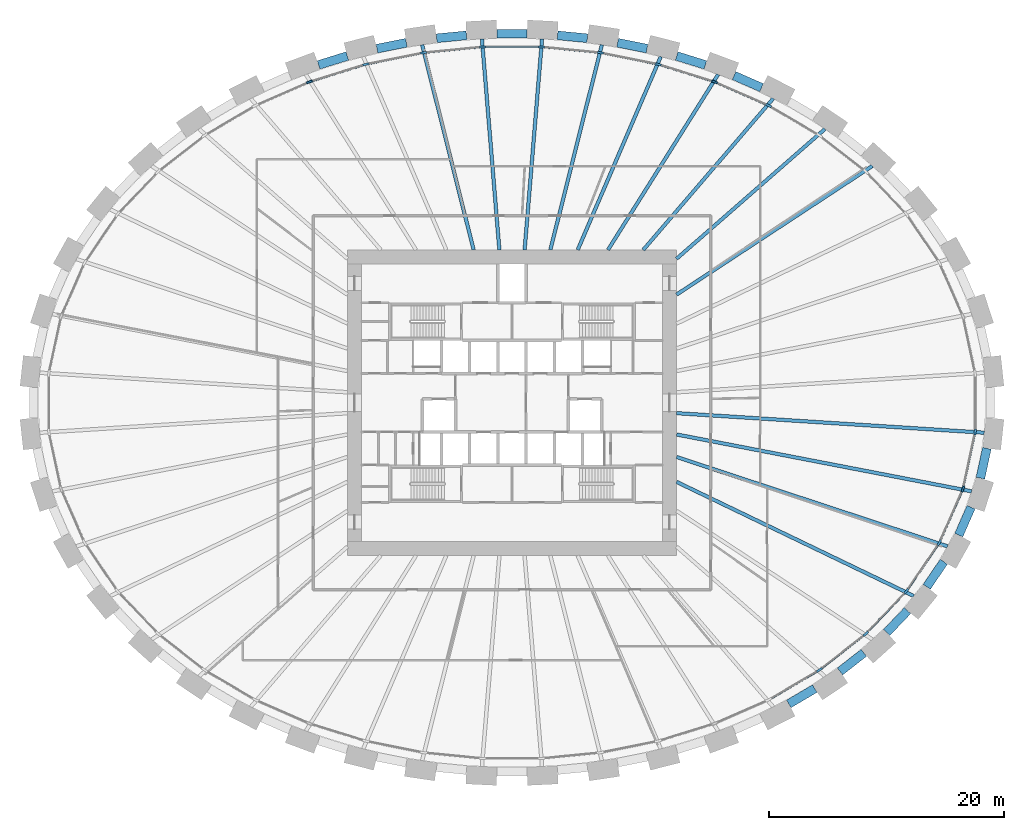
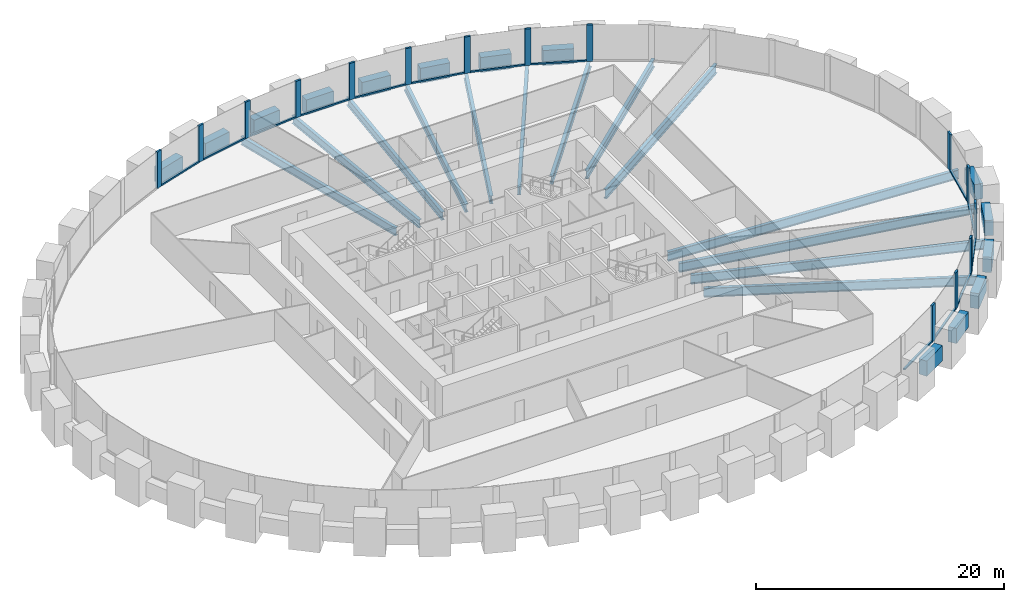
# One storey, part 3 of 10: 29 members, 27 beams, 1 element without a shape of its own.
"""IFC4 building model written with IfcOpenShell, lengths in metres."""

from ifc_helpers import new_model, si_unit, direction, frame, origin, origin_2d, place, context, subcontext, project, spatial, rectangle, i_section, extrude, source, transform, mapped, material, material_profile, profile_set, type_object, element, aggregate, save


model = new_model("IFC4")

# Units and contexts
model_context = context("Model", 3, precision=1e-05, world=origin(), true_north=direction((0.0, 1.0)))
body_context = subcontext(model_context, "Body", "Model", "MODEL_VIEW")
ifc_project = project(units=[si_unit("LENGTHUNIT", "METRE"), si_unit("AREAUNIT", "SQUARE_METRE"), si_unit("VOLUMEUNIT", "CUBIC_METRE"), si_unit("PLANEANGLEUNIT", "RADIAN"), si_unit("MASSUNIT", "GRAM", prefix="KILO")], contexts=[model_context])

# Site, building, storey
site_placement = place(None, origin())
site = spatial("IfcSite", under=ifc_project, at=site_placement, CompositionType="ELEMENT")
building_placement = place(site_placement, origin())
building = spatial("IfcBuilding", under=site, at=building_placement, Name="Embergate Tower", CompositionType="ELEMENT")
storey_placement = place(building_placement, frame((0.0, 0.0, 97.10009765625)))
storey = spatial("IfcBuildingStorey", under=building, at=storey_placement, Name="L20", CompositionType="ELEMENT", Elevation=97.10009765625)

# Beams
ifc_material_1 = material(Name="Concrete C70", Category="concrete")
ifc_material_profile_1 = material_profile(ifc_material_1, rectangle(XDim=0.75, YDim=1.5, at=origin_2d()), Name="RC 750x1500")
ifc_profile_set_1 = profile_set([ifc_material_profile_1], Name="Concrete C70")
beam_type_1 = type_object("IfcBeamType", Name="Spandrel beam RC 750x1500 C70", PredefinedType="BEAM", material=ifc_profile_set_1)
shared_shape_1 = source(origin(), body_context, "Body", "SweptSolid", [
    extrude(rectangle(XDim=0.75, YDim=1.5, at=origin_2d()), origin(), (0.0, 0.0, 1.0), 2.5498046875),
])
beam_1_placement = place(storey_placement, frame((1.27490234375, 31.373046875, 0.0), z_axis=(-1.0, 0.0, 0.0), x_axis=(0.0, -1.0, 0.0)))
element("IfcBeam", 1, at=beam_1_placement, inside=storey, type_object=beam_type_1, Name="SPN-L20-10", PredefinedType="BEAM", context=body_context, shape_type="MappedRepresentation", body=[
    mapped(shared_shape_1, transform((0.0, 0.0, 0.0))),
])
shared_shape_2 = source(origin(), body_context, "Body", "SweptSolid", [
    extrude(rectangle(XDim=0.75, YDim=1.5, at=origin_2d()), origin(), (0.0, 0.0, 1.0), 2.556640625),
])
beam_2_placement = place(storey_placement, frame((21.22509765625, 26.7939453125, 0.0), z_axis=(-0.91608499415, 0.400984143692, 0.0), x_axis=(-0.400984143692, -0.91608499415, 0.0)))
element("IfcBeam", 2, at=beam_2_placement, inside=storey, type_object=beam_type_1, Name="SPN-L20-06", PredefinedType="BEAM", context=body_context, shape_type="MappedRepresentation", body=[
    mapped(shared_shape_2, transform((0.0, 0.0, 0.0))),
])
shared_shape_3 = source(origin(), body_context, "Body", "SweptSolid", [
    extrude(rectangle(XDim=0.75, YDim=1.5, at=origin_2d()), origin(), (0.0, 0.0, 1.0), 2.55517578125),
])
for number, where, z_axis, x_axis, name in (
    (3, (16.447021484375, 28.72802734375, 0.0), (-0.954863400913, 0.297045258499, 0.0), (-0.297045258499, -0.954863400913, 0.0), "SPN-L20-07"),
    (4, (-14.007080078125, 29.487060546875, 0.0), (-0.954863400913, -0.297045258499, 0.0), (0.297045258499, -0.954863400913, 0.0), "SPN-L20-13"),
):
    element("IfcBeam", number, at=place(storey_placement, frame(where, z_axis=z_axis, x_axis=x_axis)), inside=storey, type_object=beam_type_1, Name=name, PredefinedType="BEAM", context=body_context, shape_type="MappedRepresentation", body=[
        mapped(shared_shape_3, transform((0.0, 0.0, 0.0))),
    ])
shared_shape_4 = source(origin(), body_context, "Body", "SweptSolid", [
    extrude(rectangle(XDim=0.75, YDim=1.5, at=origin_2d()), origin(), (0.0, 0.0, 1.0), 2.593017578125),
])
beam_3_placement = place(storey_placement, frame((39.8369140625, -6.4169921875, 0.0), z_axis=(0.210615598697, 0.977568958993, 0.0), x_axis=(-0.977568958993, 0.210615598697, 0.0)))
element("IfcBeam", 5, at=beam_3_placement, inside=storey, type_object=beam_type_1, Name="SPN-L20-42", PredefinedType="BEAM", context=body_context, shape_type="MappedRepresentation", body=[
    mapped(shared_shape_4, transform((0.0, 0.0, 0.0))),
])
shared_shape_5 = source(origin(), body_context, "Body", "SweptSolid", [
    extrude(rectangle(XDim=0.75, YDim=1.5, at=origin_2d()), origin(), (0.0, 0.0, 1.0), 2.587646484375),
])
beam_4_placement = place(storey_placement, frame((37.998046875, -11.260986328125, 0.0), z_axis=(0.401546272055, 0.915838736568, 0.0), x_axis=(-0.915838736568, 0.401546272055, 0.0)))
element("IfcBeam", 6, at=beam_4_placement, inside=storey, type_object=beam_type_1, Name="SPN-L20-41", PredefinedType="BEAM", context=body_context, shape_type="MappedRepresentation", body=[
    mapped(shared_shape_5, transform((0.0, 0.0, 0.0))),
])
shared_shape_6 = source(origin(), body_context, "Body", "SweptSolid", [
    extrude(rectangle(XDim=0.75, YDim=1.5, at=origin_2d()), origin(), (0.0, 0.0, 1.0), 2.5791015625),
])
beam_5_placement = place(storey_placement, frame((35.27197265625, -15.658935546875, 0.0), z_axis=(0.562170202136, 0.82702156189, 0.0), x_axis=(-0.82702156189, 0.562170202136, 0.0)))
element("IfcBeam", 7, at=beam_5_placement, inside=storey, type_object=beam_type_1, Name="SPN-L20-40", PredefinedType="BEAM", context=body_context, shape_type="MappedRepresentation", body=[
    mapped(shared_shape_6, transform((0.0, 0.0, 0.0))),
])
shared_shape_7 = source(origin(), body_context, "Body", "SweptSolid", [
    extrude(rectangle(XDim=0.75, YDim=1.5, at=origin_2d()), origin(), (0.0, 0.0, 1.0), 2.57373046875),
])
beam_6_placement = place(storey_placement, frame((31.862060546875, -19.5439453125, 0.0), z_axis=(0.689972491303, 0.723835589927, 0.0), x_axis=(-0.723835589927, 0.689972491303, 0.0)))
element("IfcBeam", 8, at=beam_6_placement, inside=storey, type_object=beam_type_1, Name="SPN-L20-39", PredefinedType="BEAM", context=body_context, shape_type="MappedRepresentation", body=[
    mapped(shared_shape_7, transform((0.0, 0.0, 0.0))),
])
shared_shape_8 = source(origin(), body_context, "Body", "SweptSolid", [
    extrude(rectangle(XDim=0.75, YDim=1.5, at=origin_2d()), origin(), (0.0, 0.0, 1.0), 2.5654296875),
])
beam_7_placement = place(storey_placement, frame((27.89892578125, -22.85302734375, 0.0), z_axis=(0.788131123291, 0.615507378103, 0.0), x_axis=(-0.615507378103, 0.788131123291, 0.0)))
element("IfcBeam", 9, at=beam_7_placement, inside=storey, type_object=beam_type_1, Name="SPN-L20-38", PredefinedType="BEAM", context=body_context, shape_type="MappedRepresentation", body=[
    mapped(shared_shape_8, transform((0.0, 0.0, 0.0))),
])
shared_shape_9 = source(origin(), body_context, "Body", "SweptSolid", [
    extrude(rectangle(XDim=0.75, YDim=1.5, at=origin_2d()), origin(), (0.0, 0.0, 1.0), 2.561279296875),
])
beam_8_placement = place(storey_placement, frame((23.541015625, -25.613037109375, 0.0), z_axis=(0.862059156479, 0.506807666409, 0.0), x_axis=(-0.506807666409, 0.862059156479, 0.0)))
element("IfcBeam", 10, at=beam_8_placement, inside=storey, type_object=beam_type_1, Name="SPN-L20-37", PredefinedType="BEAM", context=body_context, shape_type="MappedRepresentation", body=[
    mapped(shared_shape_9, transform((0.0, 0.0, 0.0))),
])
shared_shape_10 = source(origin(), body_context, "Body", "SweptSolid", [
    extrude(rectangle(XDim=0.75, YDim=1.5, at=origin_2d()), origin(), (0.0, 0.0, 1.0), 2.551513671875),
])
for number, where, z_axis, x_axis, name in (
    (11, (11.48291015625, 30.111083984375, 0.0), (-0.980536490478, 0.196336931934, 0.0), (-0.196336931934, -0.980536490478, 0.0), "SPN-L20-08"),
    (12, (-8.98095703125, 30.612060546875, 0.0), (-0.980536490478, -0.196336931934, 0.0), (0.196336931934, -0.980536490478, 0.0), "SPN-L20-12"),
):
    element("IfcBeam", number, at=place(storey_placement, frame(where, z_axis=z_axis, x_axis=x_axis)), inside=storey, type_object=beam_type_1, Name=name, PredefinedType="BEAM", context=body_context, shape_type="MappedRepresentation", body=[
        mapped(shared_shape_10, transform((0.0, 0.0, 0.0))),
    ])
shared_shape_11 = source(origin(), body_context, "Body", "SweptSolid", [
    extrude(rectangle(XDim=0.75, YDim=1.5, at=origin_2d()), origin(), (0.0, 0.0, 1.0), 2.550048828125),
])
for number, where, z_axis, x_axis, name in (
    (13, (6.409912109375, 30.99609375, 0.0), (-0.995220318417, 0.097655096179, 0.0), (-0.097655096179, -0.995220318417, 0.0), "SPN-L20-09"),
    (14, (-3.8720703125, 31.2451171875, 0.0), (-0.995220318417, -0.097655096179, 0.0), (0.097655096179, -0.995220318417, 0.0), "SPN-L20-11"),
):
    element("IfcBeam", number, at=place(storey_placement, frame(where, z_axis=z_axis, x_axis=x_axis)), inside=storey, type_object=beam_type_1, Name=name, PredefinedType="BEAM", context=body_context, shape_type="MappedRepresentation", body=[
        mapped(shared_shape_11, transform((0.0, 0.0, 0.0))),
    ])
ifc_material_2 = material(Name="Steel Q355B", Category="steel")
ifc_material_profile_2 = material_profile(ifc_material_2, i_section(OverallWidth=0.300048828125, OverallDepth=0.89990234375, WebThickness=0.01611328125, FlangeThickness=0.028076171875, FilletRadius=0.028076171875, at=origin_2d()), Name="HN 900x300x16x28")
ifc_profile_set_2 = profile_set([ifc_material_profile_2], Name="Steel Q355 grade B")
beam_type_2 = type_object("IfcBeamType", Name="Radial girder HN 900x300x16x28", PredefinedType="BEAM", material=ifc_profile_set_2)
shared_shape_12 = source(origin(), body_context, "Body", "SweptSolid", [
    extrude(i_section(OverallWidth=0.300048828125, OverallDepth=0.89990234375, WebThickness=0.01611328125, FlangeThickness=0.028076171875, FilletRadius=0.028076171875, at=origin_2d()), origin(), (0.0, 0.0, 1.0), 26.2158203125),
])
beam_9_placement = place(storey_placement, frame((40.1630859375, -2.551025390625, -0.650146484375), z_axis=(-0.997988133713, 0.063400985539, 0.0), x_axis=(-0.063400985539, -0.997988133713, 0.0)))
element("IfcBeam", 15, at=beam_9_placement, inside=storey, type_object=beam_type_2, Name="GIR-L20-43", PredefinedType="BEAM", context=body_context, shape_type="MappedRepresentation", body=[
    mapped(shared_shape_12, transform((0.0, 0.0, 0.0))),
])
shared_shape_13 = source(origin(), body_context, "Body", "SweptSolid", [
    extrude(i_section(OverallWidth=0.300048828125, OverallDepth=0.89990234375, WebThickness=0.01611328125, FlangeThickness=0.028076171875, FilletRadius=0.028076171875, at=origin_2d()), origin(), (0.0, 0.0, 1.0), 25.5517578125),
])
beam_10_placement = place(storey_placement, frame((39.089111328125, -7.541015625, -0.650146484375), z_axis=(-0.981895532799, 0.189423236878, 0.0), x_axis=(-0.189423236878, -0.981895532799, 0.0)))
element("IfcBeam", 16, at=beam_10_placement, inside=storey, type_object=beam_type_2, Name="GIR-L20-42", PredefinedType="BEAM", context=body_context, shape_type="MappedRepresentation", body=[
    mapped(shared_shape_13, transform((0.0, 0.0, 0.0))),
])
shared_shape_14 = source(origin(), body_context, "Body", "SweptSolid", [
    extrude(i_section(OverallWidth=0.300048828125, OverallDepth=0.89990234375, WebThickness=0.01611328125, FlangeThickness=0.028076171875, FilletRadius=0.028076171875, at=origin_2d()), origin(), (0.0, 0.0, 1.0), 24.259521484375),
])
beam_11_placement = place(storey_placement, frame((37.0390625, -12.215087890625, -0.650146484375), z_axis=(-0.949686852887, 0.313201024029, 0.0), x_axis=(-0.313201024029, -0.949686852887, 0.0)))
element("IfcBeam", 17, at=beam_11_placement, inside=storey, type_object=beam_type_2, Name="GIR-L20-41", PredefinedType="BEAM", context=body_context, shape_type="MappedRepresentation", body=[
    mapped(shared_shape_14, transform((0.0, 0.0, 0.0))),
])
shared_shape_15 = source(origin(), body_context, "Body", "SweptSolid", [
    extrude(i_section(OverallWidth=0.300048828125, OverallDepth=0.89990234375, WebThickness=0.01611328125, FlangeThickness=0.028076171875, FilletRadius=0.028076171875, at=origin_2d()), origin(), (0.0, 0.0, 1.0), 22.381103515625),
])
beam_12_placement = place(storey_placement, frame((34.1689453125, -16.43701171875, -0.650146484375), z_axis=(-0.901159999326, 0.4334866268, 0.0), x_axis=(-0.4334866268, -0.901159999326, 0.0)))
element("IfcBeam", 18, at=beam_12_placement, inside=storey, type_object=beam_type_2, Name="GIR-L20-40", PredefinedType="BEAM", context=body_context, shape_type="MappedRepresentation", body=[
    mapped(shared_shape_15, transform((0.0, 0.0, 0.0))),
])
shared_shape_16 = source(origin(), body_context, "Body", "SweptSolid", [
    extrude(i_section(OverallWidth=0.300048828125, OverallDepth=0.89990234375, WebThickness=0.01611328125, FlangeThickness=0.028076171875, FilletRadius=0.028076171875, at=origin_2d()), origin(), (0.0, 0.0, 1.0), 19.9140625),
])
beam_13_placement = place(storey_placement, frame((30.64306640625, 20.133056640625, -0.650146484375), z_axis=(-0.835747275066, -0.549114279745, 0.0), x_axis=(0.549114279745, -0.835747275066, 0.0)))
element("IfcBeam", 19, at=beam_13_placement, inside=storey, type_object=beam_type_2, Name="GIR-L20-04", PredefinedType="BEAM", context=body_context, shape_type="MappedRepresentation", body=[
    mapped(shared_shape_16, transform((0.0, 0.0, 0.0))),
])
ifc_material_profile_3 = material_profile(ifc_material_2, i_section(OverallWidth=0.300048828125, OverallDepth=0.800048828125, WebThickness=0.013916015625, FlangeThickness=0.02587890625, FilletRadius=0.028076171875, at=origin_2d()), Name="HN 800x300x14x26")
ifc_profile_set_3 = profile_set([ifc_material_profile_3], Name="Steel Q355 grade B")
beam_type_3 = type_object("IfcBeamType", Name="Radial girder HN 800x300x14x26", PredefinedType="BEAM", material=ifc_profile_set_3)
shared_shape_17 = source(origin(), body_context, "Body", "SweptSolid", [
    extrude(i_section(OverallWidth=0.300048828125, OverallDepth=0.800048828125, WebThickness=0.013916015625, FlangeThickness=0.02587890625, FilletRadius=0.028076171875, at=origin_2d()), origin(), (0.0, 0.0, 1.0), 16.76123046875),
])
beam_14_placement = place(storey_placement, frame((26.616943359375, 23.277099609375, -0.60009765625), z_axis=(-0.752743596645, -0.658313814005, 0.0), x_axis=(0.658313814005, -0.752743596645, 0.0)))
element("IfcBeam", 20, at=beam_14_placement, inside=storey, type_object=beam_type_3, Name="GIR-L20-05", PredefinedType="BEAM", context=body_context, shape_type="MappedRepresentation", body=[
    mapped(shared_shape_17, transform((0.0, 0.0, 0.0))),
])
shared_shape_18 = source(origin(), body_context, "Body", "SweptSolid", [
    extrude(i_section(OverallWidth=0.300048828125, OverallDepth=0.800048828125, WebThickness=0.013916015625, FlangeThickness=0.02587890625, FilletRadius=0.028076171875, at=origin_2d()), origin(), (0.0, 0.0, 1.0), 16.958984375),
])
beam_15_placement = place(storey_placement, frame((22.2119140625, 25.865966796875, -0.60009765625), z_axis=(-0.651500044605, -0.75864859578, 0.0), x_axis=(0.75864859578, -0.651500044605, 0.0)))
element("IfcBeam", 21, at=beam_15_placement, inside=storey, type_object=beam_type_3, Name="GIR-L20-06", PredefinedType="BEAM", context=body_context, shape_type="MappedRepresentation", body=[
    mapped(shared_shape_18, transform((0.0, 0.0, 0.0))),
])
shared_shape_19 = source(origin(), body_context, "Body", "SweptSolid", [
    extrude(i_section(OverallWidth=0.300048828125, OverallDepth=0.800048828125, WebThickness=0.013916015625, FlangeThickness=0.02587890625, FilletRadius=0.028076171875, at=origin_2d()), origin(), (0.0, 0.0, 1.0), 17.611083984375),
])
beam_16_placement = place(storey_placement, frame((17.531005859375, 27.9140625, -0.60009765625), z_axis=(-0.531822007443, -0.846856158034, 0.0), x_axis=(0.846856158034, -0.531822007443, 0.0)))
element("IfcBeam", 22, at=beam_16_placement, inside=storey, type_object=beam_type_3, Name="GIR-L20-07", PredefinedType="BEAM", context=body_context, shape_type="MappedRepresentation", body=[
    mapped(shared_shape_19, transform((0.0, 0.0, 0.0))),
])
shared_shape_20 = source(origin(), body_context, "Body", "SweptSolid", [
    extrude(i_section(OverallWidth=0.300048828125, OverallDepth=0.800048828125, WebThickness=0.013916015625, FlangeThickness=0.02587890625, FilletRadius=0.028076171875, at=origin_2d()), origin(), (0.0, 0.0, 1.0), 17.88720703125),
])
beam_17_placement = place(storey_placement, frame((12.652099609375, 29.43310546875, -0.60009765625), z_axis=(-0.394932140267, -0.918710294154, 0.0), x_axis=(0.918710294154, -0.394932140267, 0.0)))
element("IfcBeam", 23, at=beam_17_placement, inside=storey, type_object=beam_type_3, Name="GIR-L20-08", PredefinedType="BEAM", context=body_context, shape_type="MappedRepresentation", body=[
    mapped(shared_shape_20, transform((0.0, 0.0, 0.0))),
])
shared_shape_21 = source(origin(), body_context, "Body", "SweptSolid", [
    extrude(i_section(OverallWidth=0.300048828125, OverallDepth=0.800048828125, WebThickness=0.013916015625, FlangeThickness=0.02587890625, FilletRadius=0.028076171875, at=origin_2d()), origin(), (0.0, 0.0, 1.0), 17.97802734375),
])
for number, where, z_axis, x_axis, name in (
    (24, (7.64111328125, 30.43701171875, -0.60009765625), (-0.243474924344, -0.969907192063, 0.0), (0.969907192063, -0.243474924344, 0.0), "GIR-L20-09"),
    (25, (-7.64111328125, 30.43701171875, -0.60009765625), (0.243474924344, -0.969907192063, 0.0), (0.969907192063, 0.243474924344, 0.0), "GIR-L20-12"),
):
    element("IfcBeam", number, at=place(storey_placement, frame(where, z_axis=z_axis, x_axis=x_axis)), inside=storey, type_object=beam_type_3, Name=name, PredefinedType="BEAM", context=body_context, shape_type="MappedRepresentation", body=[
        mapped(shared_shape_21, transform((0.0, 0.0, 0.0))),
    ])
shared_shape_22 = source(origin(), body_context, "Body", "SweptSolid", [
    extrude(i_section(OverallWidth=0.300048828125, OverallDepth=0.800048828125, WebThickness=0.013916015625, FlangeThickness=0.02587890625, FilletRadius=0.028076171875, at=origin_2d()), origin(), (0.0, 0.0, 1.0), 17.9990234375),
])
for number, where, z_axis, x_axis, name in (
    (26, (2.554931640625, 30.93798828125, -0.60009765625), (-0.08227987839, -0.996609262255, 0.0), (0.996609262255, -0.08227987839, 0.0), "GIR-L20-10"),
    (27, (-2.554931640625, 30.93798828125, -0.60009765625), (0.08227987839, -0.996609262255, 0.0), (0.996609262255, 0.08227987839, 0.0), "GIR-L20-11"),
):
    element("IfcBeam", number, at=place(storey_placement, frame(where, z_axis=z_axis, x_axis=x_axis)), inside=storey, type_object=beam_type_3, Name=name, PredefinedType="BEAM", context=body_context, shape_type="MappedRepresentation", body=[
        mapped(shared_shape_22, transform((0.0, 0.0, 0.0))),
    ])

# Curtain wall, members
ifc_material_3 = material(Name="Aluminium and glass", Category="aluminium")
curtain_wall_type = type_object("IfcCurtainWallType", Name="Recessed office glazing", PredefinedType="NOTDEFINED", material=ifc_material_3)
curtain_wall_placement = place(storey_placement, origin())
curtain_wall = element("IfcCurtainWall", 28, at=curtain_wall_placement, inside=storey, type_object=curtain_wall_type, Name="Recessed office glazing ring", ObjectType="RECESSED OFFICE GLAZING", PredefinedType="USERDEFINED")
ifc_material_4 = material(Name="Aluminium, thermally broken", Category="aluminium")
ifc_material_profile_4 = material_profile(ifc_material_4, rectangle(XDim=0.179931640625, YDim=0.14990234375, at=origin_2d()), Name="AL 150x180")
ifc_profile_set_4 = profile_set([ifc_material_profile_4], Name="Aluminium, thermally broken")
member_type_1 = type_object("IfcMemberType", Name="Office sill transom", PredefinedType="USERDEFINED", material=ifc_profile_set_4)
shared_shape_23 = source(origin(), body_context, "Body", "SweptSolid", [
    extrude(rectangle(XDim=0.179931640625, YDim=0.14990234375, at=origin_2d()), origin(), (0.0, 0.0, 1.0), 4.45361328125),
])
member_1_placement = place(storey_placement, frame((38.402099609375, -7.09375, 0.074951171875), z_axis=(0.210390045313, 0.977617526865, 0.0), x_axis=(-0.977617526865, 0.210390045313, 0.0)))
member_1 = element("IfcMember", 29, at=member_1_placement, type_object=member_type_1, Name="CW transom 43.1", ObjectType="TRANSOM", PredefinedType="USERDEFINED", context=body_context, shape_type="MappedRepresentation", body=[
    mapped(shared_shape_23, transform((0.0, 0.0, 0.0))),
])
shared_shape_24 = source(origin(), body_context, "Body", "SweptSolid", [
    extrude(rectangle(XDim=0.179931640625, YDim=0.14990234375, at=origin_2d()), origin(), (0.0, 0.0, 1.0), 4.460693359375),
])
member_2_placement = place(storey_placement, frame((36.451416015625, -11.67138671875, 0.074951171875), z_axis=(0.401613983085, 0.915809045921, 0.0), x_axis=(-0.915809045921, 0.401613983085, 0.0)))
member_2 = element("IfcMember", 30, at=member_2_placement, type_object=member_type_1, Name="CW transom 42.1", ObjectType="TRANSOM", PredefinedType="USERDEFINED", context=body_context, shape_type="MappedRepresentation", body=[
    mapped(shared_shape_24, transform((0.0, 0.0, 0.0))),
])
shared_shape_25 = source(origin(), body_context, "Body", "SweptSolid", [
    extrude(rectangle(XDim=0.179931640625, YDim=0.14990234375, at=origin_2d()), origin(), (0.0, 0.0, 1.0), 4.4697265625),
])
member_3_placement = place(storey_placement, frame((33.687255859375, -15.820556640625, 0.074951171875), z_axis=(0.562327949545, 0.826914310652, 0.0), x_axis=(-0.826914310652, 0.562327949545, 0.0)))
member_3 = element("IfcMember", 31, at=member_3_placement, type_object=member_type_1, Name="CW transom 41.1", ObjectType="TRANSOM", PredefinedType="USERDEFINED", context=body_context, shape_type="MappedRepresentation", body=[
    mapped(shared_shape_25, transform((0.0, 0.0, 0.0))),
])
shared_shape_26 = source(origin(), body_context, "Body", "SweptSolid", [
    extrude(rectangle(XDim=0.179931640625, YDim=0.14990234375, at=origin_2d()), origin(), (0.0, 0.0, 1.0), 4.478515625),
])
member_4_placement = place(storey_placement, frame((30.270751953125, -19.464599609375, 0.074951171875), z_axis=(0.690145055563, 0.723671059447, 0.0), x_axis=(-0.723671059447, 0.690145055563, 0.0)))
member_4 = element("IfcMember", 32, at=member_4_placement, type_object=member_type_1, Name="CW transom 40.1", ObjectType="TRANSOM", PredefinedType="USERDEFINED", context=body_context, shape_type="MappedRepresentation", body=[
    mapped(shared_shape_26, transform((0.0, 0.0, 0.0))),
])
shared_shape_27 = source(origin(), body_context, "Body", "SweptSolid", [
    extrude(rectangle(XDim=0.179931640625, YDim=0.14990234375, at=origin_2d()), origin(), (0.0, 0.0, 1.0), 4.486083984375),
])
member_5_placement = place(storey_placement, frame((26.35009765625, -22.572998046875, 0.074951171875), z_axis=(0.78829904423, 0.615292301972, 0.0), x_axis=(-0.615292301972, 0.78829904423, 0.0)))
member_5 = element("IfcMember", 33, at=member_5_placement, type_object=member_type_1, Name="CW transom 39.1", ObjectType="TRANSOM", PredefinedType="USERDEFINED", context=body_context, shape_type="MappedRepresentation", body=[
    mapped(shared_shape_27, transform((0.0, 0.0, 0.0))),
])
shared_shape_28 = source(origin(), body_context, "Body", "SweptSolid", [
    extrude(rectangle(XDim=0.179931640625, YDim=0.14990234375, at=origin_2d()), origin(), (0.0, 0.0, 1.0), 4.491943359375),
])
member_6_placement = place(storey_placement, frame((22.048583984375, -25.141357421875, 0.074951171875), z_axis=(0.8620529522, 0.506818219486, 0.0), x_axis=(-0.506818219486, 0.8620529522, 0.0)))
member_6 = element("IfcMember", 34, at=member_6_placement, type_object=member_type_1, Name="CW transom 38.1", ObjectType="TRANSOM", PredefinedType="USERDEFINED", context=body_context, shape_type="MappedRepresentation", body=[
    mapped(shared_shape_28, transform((0.0, 0.0, 0.0))),
])
shared_shape_29 = source(origin(), body_context, "Body", "SweptSolid", [
    extrude(rectangle(XDim=0.179931640625, YDim=0.14990234375, at=origin_2d()), origin(), (0.0, 0.0, 1.0), 4.49658203125),
])
member_7_placement = place(storey_placement, frame((21.586181640625, 25.377197265625, 0.074951171875), z_axis=(-0.9162134002, 0.400690660354, 0.0), x_axis=(-0.400690660354, -0.9162134002, 0.0)))
member_7 = element("IfcMember", 35, at=member_7_placement, type_object=member_type_1, Name="CW transom 7.1", ObjectType="TRANSOM", PredefinedType="USERDEFINED", context=body_context, shape_type="MappedRepresentation", body=[
    mapped(shared_shape_29, transform((0.0, 0.0, 0.0))),
])
shared_shape_30 = source(origin(), body_context, "Body", "SweptSolid", [
    extrude(rectangle(XDim=0.179931640625, YDim=0.14990234375, at=origin_2d()), origin(), (0.0, 0.0, 1.0), 4.5),
])
member_8_placement = place(storey_placement, frame((16.97998046875, 27.3603515625, 0.074951171875), z_axis=(-0.954763366225, 0.297366633156, 0.0), x_axis=(-0.297366633156, -0.954763366225, 0.0)))
member_8 = element("IfcMember", 36, at=member_8_placement, type_object=member_type_1, Name="CW transom 8.1", ObjectType="TRANSOM", PredefinedType="USERDEFINED", context=body_context, shape_type="MappedRepresentation", body=[
    mapped(shared_shape_30, transform((0.0, 0.0, 0.0))),
])
member_9_placement = place(storey_placement, frame((-12.68359375, 28.698486328125, 0.074951171875), z_axis=(-0.954763366225, -0.297366633156, 0.0), x_axis=(0.297366633156, -0.954763366225, 0.0)))
member_9 = element("IfcMember", 37, at=member_9_placement, type_object=member_type_1, Name="CW transom 14.1", ObjectType="TRANSOM", PredefinedType="USERDEFINED", context=body_context, shape_type="MappedRepresentation", body=[
    mapped(shared_shape_30, transform((0.0, 0.0, 0.0))),
])
shared_shape_31 = source(origin(), body_context, "Body", "SweptSolid", [
    extrude(rectangle(XDim=0.179931640625, YDim=0.14990234375, at=origin_2d()), origin(), (0.0, 0.0, 1.0), 4.502197265625),
])
member_10_placement = place(storey_placement, frame((12.180419921875, 28.826904296875, 0.074951171875), z_axis=(-0.980478345518, 0.196627093681, 0.0), x_axis=(-0.196627093681, -0.980478345518, 0.0)))
member_10 = element("IfcMember", 38, at=member_10_placement, type_object=member_type_1, Name="CW transom 9.1", ObjectType="TRANSOM", PredefinedType="USERDEFINED", context=body_context, shape_type="MappedRepresentation", body=[
    mapped(shared_shape_31, transform((0.0, 0.0, 0.0))),
])
member_11_placement = place(storey_placement, frame((-7.76611328125, 29.712158203125, 0.074951171875), z_axis=(-0.980478345518, -0.196627093681, 0.0), x_axis=(0.196627093681, -0.980478345518, 0.0)))
member_11 = element("IfcMember", 39, at=member_11_placement, type_object=member_type_1, Name="CW transom 13.1", ObjectType="TRANSOM", PredefinedType="USERDEFINED", context=body_context, shape_type="MappedRepresentation", body=[
    mapped(shared_shape_31, transform((0.0, 0.0, 0.0))),
])
shared_shape_32 = source(origin(), body_context, "Body", "SweptSolid", [
    extrude(rectangle(XDim=0.179931640625, YDim=0.14990234375, at=origin_2d()), origin(), (0.0, 0.0, 1.0), 4.503173828125),
])
member_12_placement = place(storey_placement, frame((7.25244140625, 29.788818359375, 0.074951171875), z_axis=(-0.995205892048, 0.097802006279, 0.0), x_axis=(-0.097802006279, -0.995205892048, 0.0)))
member_12 = element("IfcMember", 40, at=member_12_placement, type_object=member_type_1, Name="CW transom 10.1", ObjectType="TRANSOM", PredefinedType="USERDEFINED", context=body_context, shape_type="MappedRepresentation", body=[
    mapped(shared_shape_32, transform((0.0, 0.0, 0.0))),
])
member_13_placement = place(storey_placement, frame((-2.770751953125, 30.229248046875, 0.074951171875), z_axis=(-0.995205892048, -0.097802006279, 0.0), x_axis=(0.097802006279, -0.995205892048, 0.0)))
member_13 = element("IfcMember", 41, at=member_13_placement, type_object=member_type_1, Name="CW transom 12.1", ObjectType="TRANSOM", PredefinedType="USERDEFINED", context=body_context, shape_type="MappedRepresentation", body=[
    mapped(shared_shape_32, transform((0.0, 0.0, 0.0))),
])
shared_shape_33 = source(origin(), body_context, "Body", "SweptSolid", [
    extrude(rectangle(XDim=0.179931640625, YDim=0.14990234375, at=origin_2d()), origin(), (0.0, 0.0, 1.0), 4.50390625),
])
member_14_placement = place(storey_placement, frame((2.251953125, 30.254638671875, 0.074951171875), z_axis=(-1.0, 0.0, 0.0), x_axis=(0.0, -1.0, 0.0)))
member_14 = element("IfcMember", 42, at=member_14_placement, type_object=member_type_1, Name="CW transom 11.1", ObjectType="TRANSOM", PredefinedType="USERDEFINED", context=body_context, shape_type="MappedRepresentation", body=[
    mapped(shared_shape_33, transform((0.0, 0.0, 0.0))),
])
ifc_material_profile_5 = material_profile(ifc_material_4, rectangle(XDim=0.179931640625, YDim=0.52001953125, at=origin_2d()), Name="AL 520x180")
ifc_profile_set_5 = profile_set([ifc_material_profile_5], Name="Aluminium, thermally broken")
member_type_2 = type_object("IfcMemberType", Name="Office mullion", PredefinedType="MULLION", material=ifc_profile_set_5)
shared_shape_34 = source(origin(), body_context, "Body", "SweptSolid", [
    extrude(rectangle(XDim=0.179931640625, YDim=0.52001953125, at=origin_2d()), origin(), (0.0, 0.0, 1.0), 3.599853515625),
])
member_15_placement = place(storey_placement, frame((21.824462890625, 25.273193359375, 0.0), z_axis=(0.0, 0.0, 1.0), x_axis=(-0.454520708319, -0.890736170653, 0.0)))
member_15 = element("IfcMember", 43, at=member_15_placement, type_object=member_type_2, Name="CW mullion 7", PredefinedType="MULLION", context=body_context, shape_type="MappedRepresentation", body=[
    mapped(shared_shape_34, transform((0.0, 0.0, 0.0))),
])
member_16_placement = place(storey_placement, frame((17.22802734375, 27.282958984375, 0.0), z_axis=(0.0, 0.0, 1.0), x_axis=(-0.349510859141, -0.936932313106, 0.0)))
member_16 = element("IfcMember", 44, at=member_16_placement, type_object=member_type_2, Name="CW mullion 8", PredefinedType="MULLION", context=body_context, shape_type="MappedRepresentation", body=[
    mapped(shared_shape_34, transform((0.0, 0.0, 0.0))),
])
member_17_placement = place(storey_placement, frame((12.435302734375, 28.775634765625, 0.0), z_axis=(0.0, 0.0, 1.0), x_axis=(-0.247318645812, -0.968934201808, 0.0)))
member_17 = element("IfcMember", 45, at=member_17_placement, type_object=member_type_2, Name="CW mullion 9", PredefinedType="MULLION", context=body_context, shape_type="MappedRepresentation", body=[
    mapped(shared_shape_34, transform((0.0, 0.0, 0.0))),
])
member_18_placement = place(storey_placement, frame((7.51123046875, 29.76318359375, 0.0), z_axis=(0.0, 0.0, 1.0), x_axis=(-0.147415835341, -0.989074603602, 0.0)))
member_18 = element("IfcMember", 46, at=member_18_placement, type_object=member_type_2, Name="CW mullion 10", PredefinedType="MULLION", context=body_context, shape_type="MappedRepresentation", body=[
    mapped(shared_shape_34, transform((0.0, 0.0, 0.0))),
])
member_19_placement = place(storey_placement, frame((2.511962890625, 30.254638671875, 0.0), z_axis=(0.0, 0.0, 1.0), x_axis=(-0.048971796621, -0.998800161762, 0.0)))
member_19 = element("IfcMember", 47, at=member_19_placement, type_object=member_type_2, Name="CW mullion 11", PredefinedType="MULLION", context=body_context, shape_type="MappedRepresentation", body=[
    mapped(shared_shape_34, transform((0.0, 0.0, 0.0))),
])
member_20_placement = place(storey_placement, frame((-2.511962890625, 30.254638671875, 0.0), z_axis=(0.0, 0.0, 1.0), x_axis=(0.048971796621, -0.998800161762, 0.0)))
member_20 = element("IfcMember", 48, at=member_20_placement, type_object=member_type_2, Name="CW mullion 12", PredefinedType="MULLION", context=body_context, shape_type="MappedRepresentation", body=[
    mapped(shared_shape_34, transform((0.0, 0.0, 0.0))),
])
member_21_placement = place(storey_placement, frame((-7.51123046875, 29.76318359375, 0.0), z_axis=(0.0, 0.0, 1.0), x_axis=(0.147415835341, -0.989074603602, 0.0)))
member_21 = element("IfcMember", 49, at=member_21_placement, type_object=member_type_2, Name="CW mullion 13", PredefinedType="MULLION", context=body_context, shape_type="MappedRepresentation", body=[
    mapped(shared_shape_34, transform((0.0, 0.0, 0.0))),
])
member_22_placement = place(storey_placement, frame((-12.435302734375, 28.775634765625, 0.0), z_axis=(0.0, 0.0, 1.0), x_axis=(0.247318645812, -0.968934201808, 0.0)))
member_22 = element("IfcMember", 50, at=member_22_placement, type_object=member_type_2, Name="CW mullion 14", PredefinedType="MULLION", context=body_context, shape_type="MappedRepresentation", body=[
    mapped(shared_shape_34, transform((0.0, 0.0, 0.0))),
])
member_23_placement = place(storey_placement, frame((-17.22802734375, 27.282958984375, 0.0), z_axis=(0.0, 0.0, 1.0), x_axis=(0.349510859141, -0.936932313106, 0.0)))
member_23 = element("IfcMember", 51, at=member_23_placement, type_object=member_type_2, Name="CW mullion 15", PredefinedType="MULLION", context=body_context, shape_type="MappedRepresentation", body=[
    mapped(shared_shape_34, transform((0.0, 0.0, 0.0))),
])
member_24_placement = place(storey_placement, frame((26.14501953125, -22.73291015625, 0.0), z_axis=(0.0, 0.0, 1.0), x_axis=(-0.562229165438, 0.826981478348, 0.0)))
member_24 = element("IfcMember", 52, at=member_24_placement, type_object=member_type_2, Name="CW mullion 39", PredefinedType="MULLION", context=body_context, shape_type="MappedRepresentation", body=[
    mapped(shared_shape_34, transform((0.0, 0.0, 0.0))),
])
member_25_placement = place(storey_placement, frame((30.09130859375, -19.65283203125, 0.0), z_axis=(0.0, 0.0, 1.0), x_axis=(-0.671239471147, 0.741240563093, 0.0)))
member_25 = element("IfcMember", 53, at=member_25_placement, type_object=member_type_2, Name="CW mullion 40", PredefinedType="MULLION", context=body_context, shape_type="MappedRepresentation", body=[
    mapped(shared_shape_34, transform((0.0, 0.0, 0.0))),
])
member_26_placement = place(storey_placement, frame((33.541015625, -16.035400390625, 0.0), z_axis=(0.0, 0.0, 1.0), x_axis=(-0.777883532271, 0.628408474022, 0.0)))
member_26 = element("IfcMember", 54, at=member_26_placement, type_object=member_type_2, Name="CW mullion 41", PredefinedType="MULLION", context=body_context, shape_type="MappedRepresentation", body=[
    mapped(shared_shape_34, transform((0.0, 0.0, 0.0))),
])
member_27_placement = place(storey_placement, frame((36.3466796875, -11.909423828125, 0.0), z_axis=(0.0, 0.0, 1.0), x_axis=(-0.875010345178, 0.48410422001, 0.0)))
member_27 = element("IfcMember", 55, at=member_27_placement, type_object=member_type_2, Name="CW mullion 42", PredefinedType="MULLION", context=body_context, shape_type="MappedRepresentation", body=[
    mapped(shared_shape_34, transform((0.0, 0.0, 0.0))),
])
member_28_placement = place(storey_placement, frame((38.347412109375, -7.347900390625, 0.0), z_axis=(0.0, 0.0, 1.0), x_axis=(-0.951502093582, 0.307642269381, 0.0)))
member_28 = element("IfcMember", 56, at=member_28_placement, type_object=member_type_2, Name="CW mullion 43", PredefinedType="MULLION", context=body_context, shape_type="MappedRepresentation", body=[
    mapped(shared_shape_34, transform((0.0, 0.0, 0.0))),
])
member_29_placement = place(storey_placement, frame((39.393798828125, -2.485595703125, 0.0), z_axis=(0.0, 0.0, 1.0), x_axis=(-0.994385508811, 0.105818050756, 0.0)))
member_29 = element("IfcMember", 57, at=member_29_placement, type_object=member_type_2, Name="CW mullion 44", PredefinedType="MULLION", context=body_context, shape_type="MappedRepresentation", body=[
    mapped(shared_shape_34, transform((0.0, 0.0, 0.0))),
])
aggregate(curtain_wall, [member_15, member_16, member_17, member_18, member_19, member_20, member_21, member_22, member_23, member_24, member_25, member_26, member_27, member_28, member_29, member_7, member_8, member_10, member_12, member_14, member_13, member_11, member_9, member_6, member_5, member_4, member_3, member_2, member_1])

save(model, "model.ifc")
